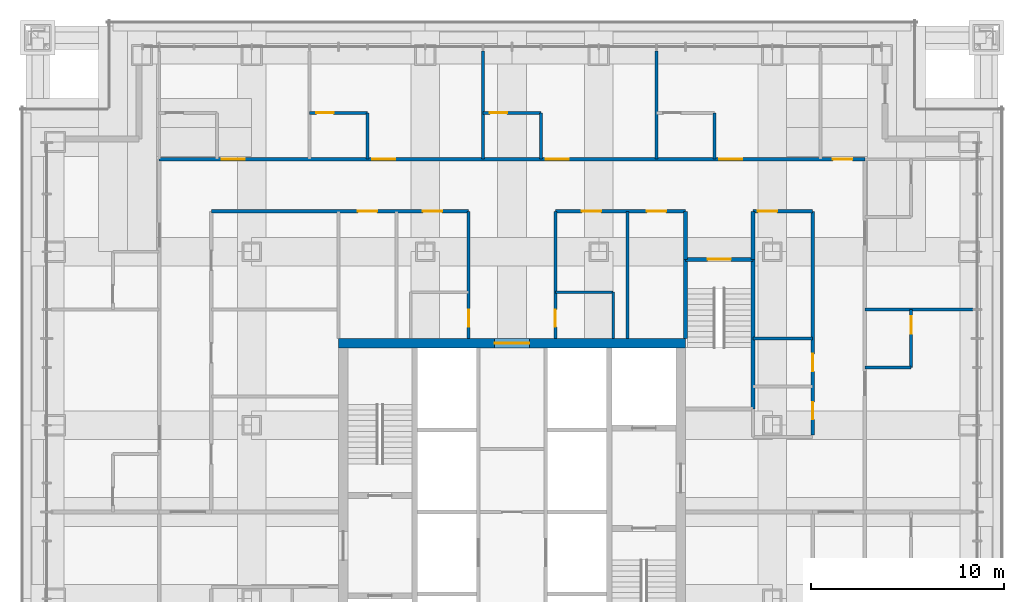
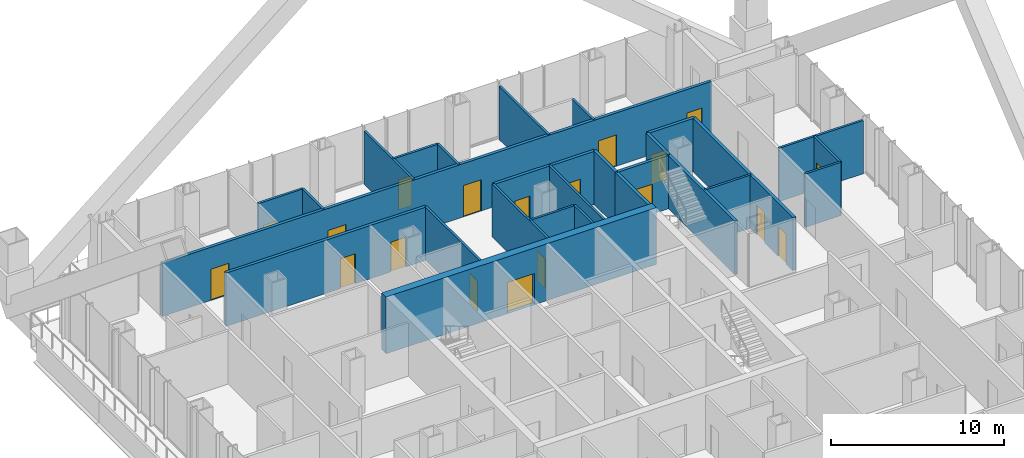
# One storey, part 18 of 20: 27 walls, 19 doors, 19 openings.
"""IFC4 building model written with IfcOpenShell, lengths in metres."""

import ifcopenshell
import ifcopenshell.guid

model = None  # the IFC model being written
_history = None  # IfcOwnerHistory: only IFC2X3 demands one
_inside = {}  # id of a spatial element -> (the spatial element, [elements in it])
_under = {}  # id of a project, library or spatial element -> (it, [spatial elements below it])
_declared = {}  # id of a project -> (the project, [libraries it declares])
_typed = {}  # id of a type object -> (the type object, [elements of that type])
_made_of = {}  # id of a material, layer set ... -> (it, [elements and type objects made of it])


def new_model(schema):
    """Start an empty IFC model of exactly this schema.

    Asked for "IFC4X3", IfcOpenShell would pick the latest addendum, in which some entities
    have other attributes; the version numbers below select the first issue.
    IFC2X3 requires an IfcOwnerHistory on every rooted entity: one is made here for all.
    """
    global model, _history
    if schema == "IFC4X3":
        model = ifcopenshell.file(schema_version=(4, 3, 0, 0))
    else:
        model = ifcopenshell.file(schema=schema)
    _inside.clear()
    _under.clear()
    _declared.clear()
    _typed.clear()
    _made_of.clear()
    _history = None
    if model.schema == "IFC2X3":
        org = make("IfcOrganization", Name="unknown")
        user = make(
            "IfcPersonAndOrganization",
            ThePerson=make("IfcPerson", FamilyName="unknown"),
            TheOrganization=org,
        )
        app = make(
            "IfcApplication",
            ApplicationDeveloper=org,
            Version="unknown",
            ApplicationFullName="unknown",
            ApplicationIdentifier="unknown",
        )
        _history = make(
            "IfcOwnerHistory",
            OwningUser=user,
            OwningApplication=app,
            ChangeAction="ADDED",
            CreationDate=0,
        )
    return model


def make(cls, **values):
    """One entity of the class cls with the attributes given. An attribute that is None is left unset."""
    return model.create_entity(
        cls, **{name: value for name, value in values.items() if value is not None}
    )


def rooted(cls, **values):
    """An entity with a GlobalId (a new one), such as an element, a storey or a relation."""
    return make(cls, GlobalId=ifcopenshell.guid.new(), OwnerHistory=_history, **values)


def si_unit(unit_type, name, prefix=None):
    """IfcSIUnit, for example si_unit("LENGTHUNIT", "METRE", prefix="MILLI")."""
    return make("IfcSIUnit", UnitType=unit_type, Prefix=prefix, Name=name)


def assignment(units):
    """IfcUnitAssignment: the units of a project."""
    return None if units is None else make("IfcUnitAssignment", Units=units)


def point(xyz):
    """IfcCartesianPoint."""
    return None if xyz is None else make("IfcCartesianPoint", Coordinates=xyz)


def direction(xyz):
    """IfcDirection."""
    return None if xyz is None else make("IfcDirection", DirectionRatios=xyz)


def frame(location, z_axis=None, x_axis=None):
    """IfcAxis2Placement3D, a coordinate frame: its origin and axes. An axis left out is left unset."""
    return make(
        "IfcAxis2Placement3D",
        Location=point(location),
        Axis=direction(z_axis),
        RefDirection=direction(x_axis),
    )


def frame_2d(location, x_axis=None):
    """IfcAxis2Placement2D, a coordinate frame in the plane: its origin and x axis."""
    return make(
        "IfcAxis2Placement2D", Location=point(location), RefDirection=direction(x_axis)
    )


def origin():
    """The frame at (0, 0, 0) with its axes left unset."""
    return frame((0.0, 0.0, 0.0))


def place(relative_to, where):
    """IfcLocalPlacement: puts the frame where relative to a parent placement (None: the world)."""
    return make(
        "IfcLocalPlacement", PlacementRelTo=relative_to, RelativePlacement=where
    )


def context(
    kind, dimensions, precision=None, world=None, true_north=None, identifier=None
):
    """IfcGeometricRepresentationContext, for example the 3D "Model" context."""
    return make(
        "IfcGeometricRepresentationContext",
        ContextIdentifier=identifier,
        ContextType=kind,
        CoordinateSpaceDimension=dimensions,
        Precision=precision,
        WorldCoordinateSystem=world,
        TrueNorth=true_north,
    )


def subcontext(parent, identifier, kind, view, scale=None):
    """IfcGeometricRepresentationSubContext, for example "Body" below "Model"."""
    return make(
        "IfcGeometricRepresentationSubContext",
        ContextIdentifier=identifier,
        ContextType=kind,
        ParentContext=parent,
        TargetScale=scale,
        TargetView=view,
    )


def project(units=None, contexts=None):
    """IfcProject with its units and contexts."""
    return rooted(
        "IfcProject",
        Name="project",
        RepresentationContexts=contexts,
        UnitsInContext=assignment(units),
    )


def spatial(cls, under=None, at=None, **own):
    """A site, building, storey or space (cls), placed at a placement, below another one or the project."""
    s = rooted(cls, ObjectPlacement=at, **own)
    if under is not None:
        _under.setdefault(under.id(), (under, []))[1].append(s)
    return s


def profile(cls, at=None, kind="AREA", **sizes):
    """A parametric profile (cls). Its sizes go by their IFC names, for example OverallWidth=200.0."""
    return make(cls, ProfileType=kind, Position=at, **sizes)


def rectangle(**sizes):
    """IfcRectangleProfileDef."""
    return profile("IfcRectangleProfileDef", **sizes)


def extrude(swept, where, along, depth):
    """IfcExtrudedAreaSolid: the profile swept, set in the frame where, extruded along a direction by depth."""
    return make(
        "IfcExtrudedAreaSolid",
        SweptArea=swept,
        Position=where,
        ExtrudedDirection=direction(along),
        Depth=depth,
    )


def shape(context_of_items, identifier, shape_type, items):
    """IfcShapeRepresentation: the items that make up one representation, for example the "Body"."""
    return make(
        "IfcShapeRepresentation",
        ContextOfItems=context_of_items,
        RepresentationIdentifier=identifier,
        RepresentationType=shape_type,
        Items=items,
    )


def material(Name=None, Category=None):
    """IfcMaterial."""
    return make("IfcMaterial", Name=Name, Category=Category)


def layer(
    of_material, thickness, ventilated=None, Name=None, Category=None, Priority=None
):
    """IfcMaterialLayer: one layer of a wall or slab, of a material (None: an air gap)."""
    return make(
        "IfcMaterialLayer",
        Material=of_material,
        LayerThickness=thickness,
        IsVentilated=ventilated,
        Name=Name,
        Category=Category,
        Priority=Priority,
    )


def layer_set(layers, Name=None):
    """IfcMaterialLayerSet."""
    return make("IfcMaterialLayerSet", MaterialLayers=layers, LayerSetName=Name)


def made_of(thing, what):
    """Note that an element or type object is made of a material, layer set ...; save() writes the relation."""
    if what is not None:
        _made_of.setdefault(what.id(), (what, []))[1].append(thing)
    return thing


def type_object(cls, material=None, **own):
    """A type object (cls), such as IfcWallType, which elements share."""
    return made_of(rooted(cls, **own), material)


def element(
    cls,
    number,
    at=None,
    inside=None,
    cuts=None,
    type_object=None,
    material=None,
    context=None,
    identifier="Body",
    shape_type=None,
    held_by="IfcProductDefinitionShape",
    body=None,
    shapes=None,
    **own,
):
    """One element of the class cls, such as IfcWall. Its Tag is "e" and its number.

    at: its placement. inside: the storey or other place that contains it. cuts: it is an
    opening in that element (IfcRelVoidsElement). A single representation is given by context,
    identifier, shape_type and body (its items); several are given by shapes. held_by: the class
    of the entity that holds the representations. save() writes the other relations.
    """
    e = rooted(cls, Tag="e%d" % number, ObjectPlacement=at, **own)
    if body is not None:
        shapes = [shape(context, identifier, shape_type, body)]
    if shapes is not None:
        e.Representation = make(held_by, Representations=shapes)
    if inside is not None:
        _inside.setdefault(inside.id(), (inside, []))[1].append(e)
    if cuts is not None:
        rooted(
            "IfcRelVoidsElement", RelatingBuildingElement=cuts, RelatedOpeningElement=e
        )
    if type_object is not None:
        _typed.setdefault(type_object.id(), (type_object, []))[1].append(e)
    return made_of(e, material)


def fill(opening, filler):
    """IfcRelFillsElement: the door or window that sits in an opening."""
    return rooted(
        "IfcRelFillsElement",
        RelatingOpeningElement=opening,
        RelatedBuildingElement=filler,
    )


def aggregate(whole, parts):
    """IfcRelAggregates: a whole, such as a stair, and the parts it consists of."""
    return rooted("IfcRelAggregates", RelatingObject=whole, RelatedObjects=parts)


def save(model, path):
    """Write the relations noted so far, then the file.

    IfcRelAggregates (storeys below a building ...), IfcRelContainedInSpatialStructure (elements
    in a storey), IfcRelDefinesByType, IfcRelAssociatesMaterial and IfcRelDeclares: one each for
    every whole, place, type object, material and project.
    """
    for whole, parts in _under.values():
        aggregate(whole, parts)
    for where, things in _inside.values():
        rooted(
            "IfcRelContainedInSpatialStructure",
            RelatedElements=things,
            RelatingStructure=where,
        )
    for kind, things in _typed.values():
        rooted("IfcRelDefinesByType", RelatedObjects=things, RelatingType=kind)
    for what, things in _made_of.values():
        rooted("IfcRelAssociatesMaterial", RelatedObjects=things, RelatingMaterial=what)
    for by, libraries in _declared.values():
        rooted("IfcRelDeclares", RelatingContext=by, RelatedDefinitions=libraries)
    model.write(path)


model = new_model("IFC4")

# Units and contexts
model_context = context("Model", 3, precision=1e-05, world=origin(), true_north=direction((0.0, 1.0)))
body_context = subcontext(model_context, "Body", "Model", "MODEL_VIEW")
ifc_project = project(units=[si_unit("LENGTHUNIT", "METRE"), si_unit("AREAUNIT", "SQUARE_METRE"), si_unit("VOLUMEUNIT", "CUBIC_METRE"), si_unit("PLANEANGLEUNIT", "RADIAN"), si_unit("MASSUNIT", "GRAM", prefix="KILO")], contexts=[model_context])

# Site, building, storey
site_placement = place(None, origin())
site = spatial("IfcSite", under=ifc_project, at=site_placement, CompositionType="ELEMENT")
building_placement = place(site_placement, origin())
building = spatial("IfcBuilding", under=site, at=building_placement, Name="Malebo Sky Hospital", CompositionType="ELEMENT")
storey_placement = place(building_placement, frame((0.0, 0.0, 100.0)))
storey = spatial("IfcBuildingStorey", under=building, at=storey_placement, Name="L23", CompositionType="ELEMENT", Elevation=100.0)

# Wall, opening, door
ifc_material_1 = material(Name="Concrete C80/95", Category="concrete")
ifc_layer_1 = layer(ifc_material_1, 0.5)
ifc_layer_set_1 = layer_set([ifc_layer_1], Name="CORE WALL 500")
wall_type_1 = type_object("IfcWallType", Name="CORE WALL 500", PredefinedType="SHEAR", material=ifc_layer_set_1)
wall_1_placement = place(storey_placement, frame((51.0, 70.75, 0.0), z_axis=(0.0, 0.0, 1.0), x_axis=(1.0, 0.0, 0.0)))
wall_1 = element("IfcWall", 1, at=wall_1_placement, inside=storey, type_object=wall_type_1, Name="Core wall N L23", PredefinedType="SHEAR", context=body_context, shape_type="SweptSolid", body=[
    extrude(rectangle(XDim=18.0, YDim=0.5, at=frame_2d((9.0, 0.0))), origin(), (0.0, 0.0, 1.0), 4.0),
])
opening_1_placement = place(wall_1_placement, frame((8.10009765625, 0.0, 0.0)))
opening_1 = element("IfcOpeningElement", 2, at=opening_1_placement, cuts=wall_1, Name="Opening D06", PredefinedType="OPENING", context=body_context, shape_type="SweptSolid", body=[
    extrude(rectangle(XDim=1.800048828125, YDim=2.199951171875, at=frame_2d((0.89990234375, 1.10009765625))), frame((0.0, 0.260009765625, 0.0), z_axis=(0.0, -1.0, 0.0), x_axis=(1.0, 0.0, 0.0)), (0.0, 0.0, 1.0), 0.52001953125),
])
ifc_material_2 = material(Name="Hardwood-faced door leaf in steel frame", Category="steel")
door_type_1 = type_object("IfcDoorType", Name="LOBBY DOOR PAIR 1800", OperationType="DOUBLE_DOOR_SINGLE_SWING", PredefinedType="DOOR", material=ifc_material_2)
door_1_placement = place(opening_1_placement, origin())
door_1 = element("IfcDoor", 3, at=door_1_placement, inside=storey, type_object=door_type_1, Name="staff rest room door north", OperationType="DOUBLE_DOOR_SINGLE_SWING", OverallHeight=2.199951171875, OverallWidth=1.800048828125, PredefinedType="DOOR", context=body_context, shape_type="SweptSolid", body=[
    extrude(rectangle(XDim=1.800048828125, YDim=2.199951171875, at=frame_2d((0.89990234375, 1.10009765625))), frame((0.0, 0.02490234375, 0.0), z_axis=(0.0, -1.0, 0.0), x_axis=(1.0, 0.0, 0.0)), (0.0, 0.0, 1.0), 0.050048828125),
])
fill(opening_1, door_1)

# Wall, openings, doors
ifc_material_3 = material(Name="Gypsum board on steel studs", Category="steel")
ifc_layer_2 = layer(ifc_material_3, 0.199951171875)
ifc_layer_set_2 = layer_set([ifc_layer_2], Name="CORRIDOR WALL 200")
wall_type_2 = type_object("IfcWallType", Name="CORRIDOR WALL 200", PredefinedType="PARTITIONING", material=ifc_layer_set_2)
wall_2_placement = place(storey_placement, frame((41.699951171875, 80.300048828125, 0.0), z_axis=(0.0, 0.0, 1.0), x_axis=(1.0, 0.0, 0.0)))
wall_2 = element("IfcWall", 4, at=wall_2_placement, inside=storey, type_object=wall_type_2, Name="Corridor Wall 200 NCO", PredefinedType="PARTITIONING", context=body_context, shape_type="SweptSolid", body=[
    extrude(rectangle(XDim=36.60009765625, YDim=0.199951171875, at=frame_2d((18.300048828125, 0.0))), origin(), (0.0, 0.0, 1.0), 3.75),
])
opening_2_placement = place(wall_2_placement, frame((3.25, 0.0, 0.0)))
opening_2 = element("IfcOpeningElement", 5, at=opening_2_placement, cuts=wall_2, Name="Opening D01", PredefinedType="OPENING", context=body_context, shape_type="SweptSolid", body=[
    extrude(rectangle(XDim=1.199951171875, YDim=2.199951171875, at=frame_2d((0.60009765625, 1.10009765625))), frame((0.0, 0.10986328125, 0.0), z_axis=(0.0, -1.0, 0.0), x_axis=(1.0, 0.0, 0.0)), (0.0, 0.0, 1.0), 0.219970703125),
])
opening_3_placement = place(wall_2_placement, frame((11.050048828125, 0.0, 0.0)))
opening_3 = element("IfcOpeningElement", 6, at=opening_3_placement, cuts=wall_2, Name="Opening D01", PredefinedType="OPENING", context=body_context, shape_type="SweptSolid", body=[
    extrude(rectangle(XDim=1.199951171875, YDim=2.199951171875, at=frame_2d((0.60009765625, 1.10009765625))), frame((0.0, 0.10986328125, 0.0), z_axis=(0.0, -1.0, 0.0), x_axis=(1.0, 0.0, 0.0)), (0.0, 0.0, 1.0), 0.219970703125),
])
opening_4_placement = place(wall_2_placement, frame((20.050048828125, 0.0, 0.0)))
opening_4 = element("IfcOpeningElement", 7, at=opening_4_placement, cuts=wall_2, Name="Opening D01", PredefinedType="OPENING", context=body_context, shape_type="SweptSolid", body=[
    extrude(rectangle(XDim=1.199951171875, YDim=2.199951171875, at=frame_2d((0.60009765625, 1.10009765625))), frame((0.0, 0.10986328125, 0.0), z_axis=(0.0, -1.0, 0.0), x_axis=(1.0, 0.0, 0.0)), (0.0, 0.0, 1.0), 0.219970703125),
])
opening_5_placement = place(wall_2_placement, frame((29.050048828125, 0.0, 0.0)))
opening_5 = element("IfcOpeningElement", 8, at=opening_5_placement, cuts=wall_2, Name="Opening D01", PredefinedType="OPENING", context=body_context, shape_type="SweptSolid", body=[
    extrude(rectangle(XDim=1.199951171875, YDim=2.199951171875, at=frame_2d((0.60009765625, 1.10009765625))), frame((0.0, 0.10986328125, 0.0), z_axis=(0.0, -1.0, 0.0), x_axis=(1.0, 0.0, 0.0)), (0.0, 0.0, 1.0), 0.219970703125),
])
opening_6_placement = place(wall_2_placement, frame((34.949951171875, 0.0, 0.0)))
opening_6 = element("IfcOpeningElement", 9, at=opening_6_placement, cuts=wall_2, Name="Opening D17", PredefinedType="OPENING", context=body_context, shape_type="SweptSolid", body=[
    extrude(rectangle(XDim=1.0, YDim=2.10009765625, at=frame_2d((0.5, 1.050048828125))), frame((0.0, 0.10986328125, 0.0), z_axis=(0.0, -1.0, 0.0), x_axis=(1.0, 0.0, 0.0)), (0.0, 0.0, 1.0), 0.219970703125),
])
door_type_2 = type_object("IfcDoorType", Name="BED DOOR 1200", OperationType="SINGLE_SWING_LEFT", PredefinedType="DOOR", material=ifc_material_2)
door_2_placement = place(opening_2_placement, origin())
door_2 = element("IfcDoor", 10, at=door_2_placement, inside=storey, type_object=door_type_2, Name="Coronary care room door", OperationType="SINGLE_SWING_LEFT", OverallHeight=2.199951171875, OverallWidth=1.199951171875, PredefinedType="DOOR", context=body_context, shape_type="SweptSolid", body=[
    extrude(rectangle(XDim=1.199951171875, YDim=2.199951171875, at=frame_2d((0.60009765625, 1.10009765625))), frame((0.0, 0.02490234375, 0.0), z_axis=(0.0, -1.0, 0.0), x_axis=(1.0, 0.0, 0.0)), (0.0, 0.0, 1.0), 0.050048828125),
])
fill(opening_2, door_2)
door_3_placement = place(opening_3_placement, origin())
door_3 = element("IfcDoor", 11, at=door_3_placement, inside=storey, type_object=door_type_2, Name="Observation bay door", OperationType="SINGLE_SWING_LEFT", OverallHeight=2.199951171875, OverallWidth=1.199951171875, PredefinedType="DOOR", context=body_context, shape_type="SweptSolid", body=[
    extrude(rectangle(XDim=1.199951171875, YDim=2.199951171875, at=frame_2d((0.60009765625, 1.10009765625))), frame((0.0, 0.02490234375, 0.0), z_axis=(0.0, -1.0, 0.0), x_axis=(1.0, 0.0, 0.0)), (0.0, 0.0, 1.0), 0.050048828125),
])
fill(opening_3, door_3)
door_4_placement = place(opening_4_placement, origin())
door_4 = element("IfcDoor", 12, at=door_4_placement, inside=storey, type_object=door_type_2, Name="Coronary care room door", OperationType="SINGLE_SWING_LEFT", OverallHeight=2.199951171875, OverallWidth=1.199951171875, PredefinedType="DOOR", context=body_context, shape_type="SweptSolid", body=[
    extrude(rectangle(XDim=1.199951171875, YDim=2.199951171875, at=frame_2d((0.60009765625, 1.10009765625))), frame((0.0, 0.02490234375, 0.0), z_axis=(0.0, -1.0, 0.0), x_axis=(1.0, 0.0, 0.0)), (0.0, 0.0, 1.0), 0.050048828125),
])
fill(opening_4, door_4)
door_5_placement = place(opening_5_placement, origin())
door_5 = element("IfcDoor", 13, at=door_5_placement, inside=storey, type_object=door_type_2, Name="Two-bed room door", OperationType="SINGLE_SWING_LEFT", OverallHeight=2.199951171875, OverallWidth=1.199951171875, PredefinedType="DOOR", context=body_context, shape_type="SweptSolid", body=[
    extrude(rectangle(XDim=1.199951171875, YDim=2.199951171875, at=frame_2d((0.60009765625, 1.10009765625))), frame((0.0, 0.02490234375, 0.0), z_axis=(0.0, -1.0, 0.0), x_axis=(1.0, 0.0, 0.0)), (0.0, 0.0, 1.0), 0.050048828125),
])
fill(opening_5, door_5)
door_type_3 = type_object("IfcDoorType", Name="FIRE DOOR 1000", OperationType="SINGLE_SWING_LEFT", PredefinedType="DOOR", material=ifc_material_2)
door_6_placement = place(opening_6_placement, origin())
door_6 = element("IfcDoor", 14, at=door_6_placement, inside=storey, type_object=door_type_3, Name="Facade maintenance store door", OperationType="SINGLE_SWING_RIGHT", OverallHeight=2.10009765625, OverallWidth=1.0, PredefinedType="DOOR", context=body_context, shape_type="SweptSolid", body=[
    extrude(rectangle(XDim=1.0, YDim=2.10009765625, at=frame_2d((0.5, 1.050048828125))), frame((0.0, 0.02490234375, 0.0), z_axis=(0.0, -1.0, 0.0), x_axis=(1.0, 0.0, 0.0)), (0.0, 0.0, 1.0), 0.050048828125),
])
fill(opening_6, door_6)

wall_3_placement = place(storey_placement, frame((44.39990234375, 77.60009765625, 0.0), z_axis=(0.0, 0.0, 1.0), x_axis=(1.0, 0.0, 0.0)))
wall_3 = element("IfcWall", 15, at=wall_3_placement, inside=storey, type_object=wall_type_2, Name="Corridor Wall 200 NCI1", PredefinedType="PARTITIONING", context=body_context, shape_type="SweptSolid", body=[
    extrude(rectangle(XDim=13.35009765625, YDim=0.199951171875, at=frame_2d((6.675048828125, 0.0))), origin(), (0.0, 0.0, 1.0), 3.75),
])
opening_7_placement = place(wall_3_placement, frame((7.60009765625, 0.0, 0.0)))
opening_7 = element("IfcOpeningElement", 16, at=opening_7_placement, cuts=wall_3, Name="Opening D03", PredefinedType="OPENING", context=body_context, shape_type="SweptSolid", body=[
    extrude(rectangle(XDim=1.0, YDim=2.10009765625, at=frame_2d((0.5, 1.050048828125))), frame((0.0, 0.10986328125, 0.0), z_axis=(0.0, -1.0, 0.0), x_axis=(1.0, 0.0, 0.0)), (0.0, 0.0, 1.0), 0.219970703125),
])
opening_8_placement = place(wall_3_placement, frame((10.97509765625, 0.0, 0.0)))
opening_8 = element("IfcOpeningElement", 17, at=opening_8_placement, cuts=wall_3, Name="Opening D03", PredefinedType="OPENING", context=body_context, shape_type="SweptSolid", body=[
    extrude(rectangle(XDim=1.0, YDim=2.10009765625, at=frame_2d((0.5, 1.050048828125))), frame((0.0, 0.10986328125, 0.0), z_axis=(0.0, -1.0, 0.0), x_axis=(1.0, 0.0, 0.0)), (0.0, 0.0, 1.0), 0.219970703125),
])
door_type_4 = type_object("IfcDoorType", Name="ROOM DOOR 1000", OperationType="SINGLE_SWING_LEFT", PredefinedType="DOOR", material=ifc_material_2)
door_7_placement = place(opening_7_placement, origin())
door_7 = element("IfcDoor", 18, at=door_7_placement, inside=storey, type_object=door_type_4, Name="Echo room door", OperationType="SINGLE_SWING_LEFT", OverallHeight=2.10009765625, OverallWidth=1.0, PredefinedType="DOOR", context=body_context, shape_type="SweptSolid", body=[
    extrude(rectangle(XDim=1.0, YDim=2.10009765625, at=frame_2d((0.5, 1.050048828125))), frame((0.0, 0.02490234375, 0.0), z_axis=(0.0, -1.0, 0.0), x_axis=(1.0, 0.0, 0.0)), (0.0, 0.0, 1.0), 0.050048828125),
])
fill(opening_7, door_7)
door_8_placement = place(opening_8_placement, origin())
door_8 = element("IfcDoor", 19, at=door_8_placement, inside=storey, type_object=door_type_4, Name="Cardiac physiology room door", OperationType="SINGLE_SWING_LEFT", OverallHeight=2.10009765625, OverallWidth=1.0, PredefinedType="DOOR", context=body_context, shape_type="SweptSolid", body=[
    extrude(rectangle(XDim=1.0, YDim=2.10009765625, at=frame_2d((0.5, 1.050048828125))), frame((0.0, 0.02490234375, 0.0), z_axis=(0.0, -1.0, 0.0), x_axis=(1.0, 0.0, 0.0)), (0.0, 0.0, 1.0), 0.050048828125),
])
fill(opening_8, door_8)

wall_4_placement = place(storey_placement, frame((62.25, 77.60009765625, 0.0), z_axis=(0.0, 0.0, 1.0), x_axis=(1.0, 0.0, 0.0)))
wall_4 = element("IfcWall", 20, at=wall_4_placement, inside=storey, type_object=wall_type_2, Name="Corridor Wall 200 NCI2", PredefinedType="PARTITIONING", context=body_context, shape_type="SweptSolid", body=[
    extrude(rectangle(XDim=6.75, YDim=0.199951171875, at=frame_2d((3.375, 0.0))), origin(), (0.0, 0.0, 1.0), 3.75),
])
opening_9_placement = place(wall_4_placement, frame((1.375, 0.0, 0.0)))
opening_9 = element("IfcOpeningElement", 21, at=opening_9_placement, cuts=wall_4, Name="Opening D03", PredefinedType="OPENING", context=body_context, shape_type="SweptSolid", body=[
    extrude(rectangle(XDim=1.0, YDim=2.10009765625, at=frame_2d((0.5, 1.050048828125))), frame((0.0, 0.10986328125, 0.0), z_axis=(0.0, -1.0, 0.0), x_axis=(1.0, 0.0, 0.0)), (0.0, 0.0, 1.0), 0.219970703125),
])
opening_10_placement = place(wall_4_placement, frame((4.75, 0.0, 0.0)))
opening_10 = element("IfcOpeningElement", 22, at=opening_10_placement, cuts=wall_4, Name="Opening D03", PredefinedType="OPENING", context=body_context, shape_type="SweptSolid", body=[
    extrude(rectangle(XDim=1.0, YDim=2.10009765625, at=frame_2d((0.5, 1.050048828125))), frame((0.0, 0.10986328125, 0.0), z_axis=(0.0, -1.0, 0.0), x_axis=(1.0, 0.0, 0.0)), (0.0, 0.0, 1.0), 0.219970703125),
])
door_9_placement = place(opening_9_placement, origin())
door_9 = element("IfcDoor", 23, at=door_9_placement, inside=storey, type_object=door_type_4, Name="Clean utility room door", OperationType="SINGLE_SWING_LEFT", OverallHeight=2.10009765625, OverallWidth=1.0, PredefinedType="DOOR", context=body_context, shape_type="SweptSolid", body=[
    extrude(rectangle(XDim=1.0, YDim=2.10009765625, at=frame_2d((0.5, 1.050048828125))), frame((0.0, 0.02490234375, 0.0), z_axis=(0.0, -1.0, 0.0), x_axis=(1.0, 0.0, 0.0)), (0.0, 0.0, 1.0), 0.050048828125),
])
fill(opening_9, door_9)
door_10_placement = place(opening_10_placement, origin())
door_10 = element("IfcDoor", 24, at=door_10_placement, inside=storey, type_object=door_type_4, Name="Seminar room door", OperationType="SINGLE_SWING_RIGHT", OverallHeight=2.10009765625, OverallWidth=1.0, PredefinedType="DOOR", context=body_context, shape_type="SweptSolid", body=[
    extrude(rectangle(XDim=1.0, YDim=2.10009765625, at=frame_2d((0.5, 1.050048828125))), frame((0.0, 0.02490234375, 0.0), z_axis=(0.0, -1.0, 0.0), x_axis=(1.0, 0.0, 0.0)), (0.0, 0.0, 1.0), 0.050048828125),
])
fill(opening_10, door_10)

# Wall, opening, door
wall_5_placement = place(storey_placement, frame((72.5, 77.60009765625, 0.0), z_axis=(0.0, 0.0, 1.0), x_axis=(1.0, 0.0, 0.0)))
wall_5 = element("IfcWall", 25, at=wall_5_placement, inside=storey, type_object=wall_type_2, Name="Corridor Wall 200 NCI2/2", PredefinedType="PARTITIONING", context=body_context, shape_type="SweptSolid", body=[
    extrude(rectangle(XDim=3.10009765625, YDim=0.199951171875, at=frame_2d((1.550048828125, 0.0))), origin(), (0.0, 0.0, 1.0), 3.75),
])
opening_11_placement = place(wall_5_placement, frame((0.25, 0.0, 0.0)))
opening_11 = element("IfcOpeningElement", 26, at=opening_11_placement, cuts=wall_5, Name="Opening D03", PredefinedType="OPENING", context=body_context, shape_type="SweptSolid", body=[
    extrude(rectangle(XDim=1.0, YDim=2.10009765625, at=frame_2d((0.5, 1.050048828125))), frame((0.0, 0.10986328125, 0.0), z_axis=(0.0, -1.0, 0.0), x_axis=(1.0, 0.0, 0.0)), (0.0, 0.0, 1.0), 0.219970703125),
])
door_11_placement = place(opening_11_placement, origin())
door_11 = element("IfcDoor", 27, at=door_11_placement, inside=storey, type_object=door_type_4, Name="Nurse station door", OperationType="SINGLE_SWING_LEFT", OverallHeight=2.10009765625, OverallWidth=1.0, PredefinedType="DOOR", context=body_context, shape_type="SweptSolid", body=[
    extrude(rectangle(XDim=1.0, YDim=2.10009765625, at=frame_2d((0.5, 1.050048828125))), frame((0.0, 0.02490234375, 0.0), z_axis=(0.0, -1.0, 0.0), x_axis=(1.0, 0.0, 0.0)), (0.0, 0.0, 1.0), 0.050048828125),
])
fill(opening_11, door_11)

# Wall, openings, doors
wall_6_placement = place(storey_placement, frame((75.60009765625, 77.60009765625, 0.0), z_axis=(0.0, 0.0, 1.0), x_axis=(0.0, -1.0, 0.0)))
wall_6 = element("IfcWall", 28, at=wall_6_placement, inside=storey, type_object=wall_type_2, Name="Corridor Wall 200 ECI1", PredefinedType="PARTITIONING", context=body_context, shape_type="SweptSolid", body=[
    extrude(rectangle(XDim=11.60009765625, YDim=0.199951171875, at=frame_2d((5.800048828125, 0.0))), origin(), (0.0, 0.0, 1.0), 3.75),
])
opening_12_placement = place(wall_6_placement, frame((7.39990234375, 0.0, 0.0)))
opening_12 = element("IfcOpeningElement", 29, at=opening_12_placement, cuts=wall_6, Name="Opening D04", PredefinedType="OPENING", context=body_context, shape_type="SweptSolid", body=[
    extrude(rectangle(XDim=0.89990234375, YDim=2.10009765625, at=frame_2d((0.449951171875, 1.050048828125))), frame((0.0, 0.10986328125, 0.0), z_axis=(0.0, -1.0, 0.0), x_axis=(1.0, 0.0, 0.0)), (0.0, 0.0, 1.0), 0.219970703125),
])
opening_13_placement = place(wall_6_placement, frame((9.89990234375, 0.0, 0.0)))
opening_13 = element("IfcOpeningElement", 30, at=opening_13_placement, cuts=wall_6, Name="Opening D04", PredefinedType="OPENING", context=body_context, shape_type="SweptSolid", body=[
    extrude(rectangle(XDim=0.89990234375, YDim=2.10009765625, at=frame_2d((0.449951171875, 1.050048828125))), frame((0.0, 0.10986328125, 0.0), z_axis=(0.0, -1.0, 0.0), x_axis=(1.0, 0.0, 0.0)), (0.0, 0.0, 1.0), 0.219970703125),
])
door_type_5 = type_object("IfcDoorType", Name="ROOM DOOR 900", OperationType="SINGLE_SWING_LEFT", PredefinedType="DOOR", material=ifc_material_2)
door_12_placement = place(opening_12_placement, origin())
door_12 = element("IfcDoor", 31, at=door_12_placement, inside=storey, type_object=door_type_5, Name="Equipment store door", OperationType="SINGLE_SWING_LEFT", OverallHeight=2.10009765625, OverallWidth=0.89990234375, PredefinedType="DOOR", context=body_context, shape_type="SweptSolid", body=[
    extrude(rectangle(XDim=0.89990234375, YDim=2.10009765625, at=frame_2d((0.449951171875, 1.050048828125))), frame((0.0, 0.02490234375, 0.0), z_axis=(0.0, -1.0, 0.0), x_axis=(1.0, 0.0, 0.0)), (0.0, 0.0, 1.0), 0.050048828125),
])
fill(opening_12, door_12)
door_13_placement = place(opening_13_placement, origin())
door_13 = element("IfcDoor", 32, at=door_13_placement, inside=storey, type_object=door_type_5, Name="Medication room door", OperationType="SINGLE_SWING_LEFT", OverallHeight=2.10009765625, OverallWidth=0.89990234375, PredefinedType="DOOR", context=body_context, shape_type="SweptSolid", body=[
    extrude(rectangle(XDim=0.89990234375, YDim=2.10009765625, at=frame_2d((0.449951171875, 1.050048828125))), frame((0.0, 0.02490234375, 0.0), z_axis=(0.0, -1.0, 0.0), x_axis=(1.0, 0.0, 0.0)), (0.0, 0.0, 1.0), 0.050048828125),
])
fill(opening_13, door_13)

# Walls
for number, where, z_axis, x_axis, name in (
    (33, (69.0, 75.10009765625, 0.0), (0.0, 0.0, 1.0), (0.0, 1.0, 0.0), "Corridor Wall 200 ST3AW"),
    (34, (72.5, 75.10009765625, 0.0), (0.0, 0.0, 1.0), (0.0, 1.0, 0.0), "Corridor Wall 200 ST3AE"),
):
    element("IfcWall", number, at=place(storey_placement, frame(where, z_axis=z_axis, x_axis=x_axis)), inside=storey, type_object=wall_type_2, Name=name, PredefinedType="PARTITIONING", context=body_context, shape_type="SweptSolid", body=[
        extrude(rectangle(XDim=2.5, YDim=0.199951171875, at=frame_2d((1.25, 0.0))), origin(), (0.0, 0.0, 1.0), 3.75),
    ])
ifc_layer_3 = layer(ifc_material_3, 0.14990234375)
ifc_layer_set_3 = layer_set([ifc_layer_3], Name="PARTITION 150")
wall_type_3 = type_object("IfcWallType", Name="PARTITION 150", PredefinedType="PARTITIONING", material=ifc_layer_set_3)
for number, where, z_axis, x_axis, name in (
    (35, (58.5, 80.300048828125, 0.0), (0.0, 0.0, 1.0), (0.0, 1.0, 0.0), "Partition 150 NP-1.5"),
    (36, (67.5, 80.300048828125, 0.0), (0.0, 0.0, 1.0), (0.0, 1.0, 0.0), "Partition 150 NP+7.5"),
):
    element("IfcWall", number, at=place(storey_placement, frame(where, z_axis=z_axis, x_axis=x_axis)), inside=storey, type_object=wall_type_3, Name=name, PredefinedType="PARTITIONING", context=body_context, shape_type="SweptSolid", body=[
        extrude(rectangle(XDim=5.60986328125, YDim=0.14990234375, at=frame_2d((2.804931640625, 0.0))), origin(), (0.0, 0.0, 1.0), 3.75),
    ])

# Wall, opening, door
wall_7_placement = place(storey_placement, frame((49.5, 82.699951171875, 0.0), z_axis=(0.0, 0.0, 1.0), x_axis=(1.0, 0.0, 0.0)))
wall_7 = element("IfcWall", 37, at=wall_7_placement, inside=storey, type_object=wall_type_3, Name="Partition 150 NE1F", PredefinedType="PARTITIONING", context=body_context, shape_type="SweptSolid", body=[
    extrude(rectangle(XDim=3.0, YDim=0.14990234375, at=frame_2d((1.5, 0.0))), origin(), (0.0, 0.0, 1.0), 3.75),
])
opening_14_placement = place(wall_7_placement, frame((0.35009765625, 0.0, 0.0)))
opening_14 = element("IfcOpeningElement", 38, at=opening_14_placement, cuts=wall_7, Name="Opening D02", PredefinedType="OPENING", context=body_context, shape_type="SweptSolid", body=[
    extrude(rectangle(XDim=0.89990234375, YDim=2.10009765625, at=frame_2d((0.449951171875, 1.050048828125))), frame((0.0, 0.0849609375, 0.0), z_axis=(0.0, -1.0, 0.0), x_axis=(1.0, 0.0, 0.0)), (0.0, 0.0, 1.0), 0.169921875),
])
door_type_6 = type_object("IfcDoorType", Name="EN-SUITE DOOR 900", OperationType="SINGLE_SWING_LEFT", PredefinedType="DOOR", material=ifc_material_2)
door_14_placement = place(opening_14_placement, origin())
door_14 = element("IfcDoor", 39, at=door_14_placement, inside=storey, type_object=door_type_6, Name="En-suite door", OperationType="SINGLE_SWING_LEFT", OverallHeight=2.10009765625, OverallWidth=0.89990234375, PredefinedType="DOOR", context=body_context, shape_type="SweptSolid", body=[
    extrude(rectangle(XDim=0.89990234375, YDim=2.10009765625, at=frame_2d((0.449951171875, 1.050048828125))), frame((0.0, 0.02490234375, 0.0), z_axis=(0.0, -1.0, 0.0), x_axis=(1.0, 0.0, 0.0)), (0.0, 0.0, 1.0), 0.050048828125),
])
fill(opening_14, door_14)

# Wall
wall_8_placement = place(storey_placement, frame((52.5, 80.300048828125, 0.0), z_axis=(0.0, 0.0, 1.0), x_axis=(0.0, 1.0, 0.0)))
element("IfcWall", 40, at=wall_8_placement, inside=storey, type_object=wall_type_3, Name="Partition 150 NE1S", PredefinedType="PARTITIONING", context=body_context, shape_type="SweptSolid", body=[
    extrude(rectangle(XDim=2.39990234375, YDim=0.14990234375, at=frame_2d((1.199951171875, 0.0))), origin(), (0.0, 0.0, 1.0), 3.75),
])

# Wall, opening, door
wall_9_placement = place(storey_placement, frame((58.5, 82.699951171875, 0.0), z_axis=(0.0, 0.0, 1.0), x_axis=(1.0, 0.0, 0.0)))
wall_9 = element("IfcWall", 41, at=wall_9_placement, inside=storey, type_object=wall_type_3, Name="Partition 150 NE2F", PredefinedType="PARTITIONING", context=body_context, shape_type="SweptSolid", body=[
    extrude(rectangle(XDim=3.0, YDim=0.14990234375, at=frame_2d((1.5, 0.0))), origin(), (0.0, 0.0, 1.0), 3.75),
])
opening_15_placement = place(wall_9_placement, frame((0.35009765625, 0.0, 0.0)))
opening_15 = element("IfcOpeningElement", 42, at=opening_15_placement, cuts=wall_9, Name="Opening D02", PredefinedType="OPENING", context=body_context, shape_type="SweptSolid", body=[
    extrude(rectangle(XDim=0.89990234375, YDim=2.10009765625, at=frame_2d((0.449951171875, 1.050048828125))), frame((0.0, 0.0849609375, 0.0), z_axis=(0.0, -1.0, 0.0), x_axis=(1.0, 0.0, 0.0)), (0.0, 0.0, 1.0), 0.169921875),
])
door_15_placement = place(opening_15_placement, origin())
door_15 = element("IfcDoor", 43, at=door_15_placement, inside=storey, type_object=door_type_6, Name="En-suite door", OperationType="SINGLE_SWING_LEFT", OverallHeight=2.10009765625, OverallWidth=0.89990234375, PredefinedType="DOOR", context=body_context, shape_type="SweptSolid", body=[
    extrude(rectangle(XDim=0.89990234375, YDim=2.10009765625, at=frame_2d((0.449951171875, 1.050048828125))), frame((0.0, 0.02490234375, 0.0), z_axis=(0.0, -1.0, 0.0), x_axis=(1.0, 0.0, 0.0)), (0.0, 0.0, 1.0), 0.050048828125),
])
fill(opening_15, door_15)

# Walls
for number, where, z_axis, x_axis, name in (
    (44, (61.5, 80.300048828125, 0.0), (0.0, 0.0, 1.0), (0.0, 1.0, 0.0), "Partition 150 NE2S"),
    (45, (70.5, 80.300048828125, 0.0), (0.0, 0.0, 1.0), (0.0, 1.0, 0.0), "Partition 150 NE3S"),
):
    element("IfcWall", number, at=place(storey_placement, frame(where, z_axis=z_axis, x_axis=x_axis)), inside=storey, type_object=wall_type_3, Name=name, PredefinedType="PARTITIONING", context=body_context, shape_type="SweptSolid", body=[
        extrude(rectangle(XDim=2.39990234375, YDim=0.14990234375, at=frame_2d((1.199951171875, 0.0))), origin(), (0.0, 0.0, 1.0), 3.75),
    ])

# Wall, opening, door
wall_10_placement = place(storey_placement, frame((57.75, 71.0, 0.0), z_axis=(0.0, 0.0, 1.0), x_axis=(0.0, 1.0, 0.0)))
wall_10 = element("IfcWall", 46, at=wall_10_placement, inside=storey, type_object=wall_type_3, Name="Partition 150 NSPA", PredefinedType="PARTITIONING", context=body_context, shape_type="SweptSolid", body=[
    extrude(rectangle(XDim=6.60009765625, YDim=0.14990234375, at=frame_2d((3.300048828125, 0.0))), origin(), (0.0, 0.0, 1.0), 3.75),
])
opening_16_placement = place(wall_10_placement, frame((0.60009765625, 0.0, 0.0)))
opening_16 = element("IfcOpeningElement", 47, at=opening_16_placement, cuts=wall_10, Name="Opening D04", PredefinedType="OPENING", context=body_context, shape_type="SweptSolid", body=[
    extrude(rectangle(XDim=0.89990234375, YDim=2.10009765625, at=frame_2d((0.449951171875, 1.050048828125))), frame((0.0, 0.0849609375, 0.0), z_axis=(0.0, -1.0, 0.0), x_axis=(1.0, 0.0, 0.0)), (0.0, 0.0, 1.0), 0.169921875),
])
door_16_placement = place(opening_16_placement, origin())
door_16 = element("IfcDoor", 48, at=door_16_placement, inside=storey, type_object=door_type_5, Name="Staff WC door", OperationType="SINGLE_SWING_LEFT", OverallHeight=2.10009765625, OverallWidth=0.89990234375, PredefinedType="DOOR", context=body_context, shape_type="SweptSolid", body=[
    extrude(rectangle(XDim=0.89990234375, YDim=2.10009765625, at=frame_2d((0.449951171875, 1.050048828125))), frame((0.0, 0.02490234375, 0.0), z_axis=(0.0, -1.0, 0.0), x_axis=(1.0, 0.0, 0.0)), (0.0, 0.0, 1.0), 0.050048828125),
])
fill(opening_16, door_16)

wall_11_placement = place(storey_placement, frame((62.25, 71.0, 0.0), z_axis=(0.0, 0.0, 1.0), x_axis=(0.0, 1.0, 0.0)))
wall_11 = element("IfcWall", 49, at=wall_11_placement, inside=storey, type_object=wall_type_3, Name="Partition 150 NSPB", PredefinedType="PARTITIONING", context=body_context, shape_type="SweptSolid", body=[
    extrude(rectangle(XDim=6.60009765625, YDim=0.14990234375, at=frame_2d((3.300048828125, 0.0))), origin(), (0.0, 0.0, 1.0), 3.75),
])
opening_17_placement = place(wall_11_placement, frame((0.60009765625, 0.0, 0.0)))
opening_17 = element("IfcOpeningElement", 50, at=opening_17_placement, cuts=wall_11, Name="Opening D04", PredefinedType="OPENING", context=body_context, shape_type="SweptSolid", body=[
    extrude(rectangle(XDim=0.89990234375, YDim=2.10009765625, at=frame_2d((0.449951171875, 1.050048828125))), frame((0.0, 0.0849609375, 0.0), z_axis=(0.0, -1.0, 0.0), x_axis=(1.0, 0.0, 0.0)), (0.0, 0.0, 1.0), 0.169921875),
])
door_17_placement = place(opening_17_placement, origin())
door_17 = element("IfcDoor", 51, at=door_17_placement, inside=storey, type_object=door_type_5, Name="Accessible WC door", OperationType="SINGLE_SWING_LEFT", OverallHeight=2.10009765625, OverallWidth=0.89990234375, PredefinedType="DOOR", context=body_context, shape_type="SweptSolid", body=[
    extrude(rectangle(XDim=0.89990234375, YDim=2.10009765625, at=frame_2d((0.449951171875, 1.050048828125))), frame((0.0, 0.02490234375, 0.0), z_axis=(0.0, -1.0, 0.0), x_axis=(1.0, 0.0, 0.0)), (0.0, 0.0, 1.0), 0.050048828125),
])
fill(opening_17, door_17)

# Walls
wall_12_placement = place(storey_placement, frame((66.0, 71.0, 0.0), z_axis=(0.0, 0.0, 1.0), x_axis=(0.0, 1.0, 0.0)))
element("IfcWall", 52, at=wall_12_placement, inside=storey, type_object=wall_type_3, Name="Partition 150 NSP+6.0", PredefinedType="PARTITIONING", context=body_context, shape_type="SweptSolid", body=[
    extrude(rectangle(XDim=6.60009765625, YDim=0.14990234375, at=frame_2d((3.300048828125, 0.0))), origin(), (0.0, 0.0, 1.0), 3.75),
])
wall_13_placement = place(storey_placement, frame((62.25, 73.39990234375, 0.0), z_axis=(0.0, 0.0, 1.0), x_axis=(1.0, 0.0, 0.0)))
element("IfcWall", 53, at=wall_13_placement, inside=storey, type_object=wall_type_3, Name="Partition 150 NSX2", PredefinedType="PARTITIONING", context=body_context, shape_type="SweptSolid", body=[
    extrude(rectangle(XDim=3.0, YDim=0.14990234375, at=frame_2d((1.5, 0.0))), origin(), (0.0, 0.0, 1.0), 3.75),
])
wall_14_placement = place(storey_placement, frame((65.25, 71.0, 0.0), z_axis=(0.0, 0.0, 1.0), x_axis=(0.0, 1.0, 0.0)))
element("IfcWall", 54, at=wall_14_placement, inside=storey, type_object=wall_type_3, Name="Partition 150 NSY2", PredefinedType="PARTITIONING", context=body_context, shape_type="SweptSolid", body=[
    extrude(rectangle(XDim=2.39990234375, YDim=0.14990234375, at=frame_2d((1.199951171875, 0.0))), origin(), (0.0, 0.0, 1.0), 3.75),
])
wall_15_placement = place(storey_placement, frame((78.300048828125, 72.5, 0.0), z_axis=(0.0, 0.0, 1.0), x_axis=(1.0, 0.0, 0.0)))
element("IfcWall", 55, at=wall_15_placement, inside=storey, type_object=wall_type_3, Name="Partition 150 EP-10.5", PredefinedType="PARTITIONING", context=body_context, shape_type="SweptSolid", body=[
    extrude(rectangle(XDim=5.60986328125, YDim=0.14990234375, at=frame_2d((2.804931640625, 0.0))), origin(), (0.0, 0.0, 1.0), 3.75),
])

# Wall, opening, door
wall_16_placement = place(storey_placement, frame((80.699951171875, 72.5, 0.0), z_axis=(0.0, 0.0, 1.0), x_axis=(0.0, -1.0, 0.0)))
wall_16 = element("IfcWall", 56, at=wall_16_placement, inside=storey, type_object=wall_type_3, Name="Partition 150 EE1F", PredefinedType="PARTITIONING", context=body_context, shape_type="SweptSolid", body=[
    extrude(rectangle(XDim=3.0, YDim=0.14990234375, at=frame_2d((1.5, 0.0))), origin(), (0.0, 0.0, 1.0), 3.75),
])
opening_18_placement = place(wall_16_placement, frame((0.35009765625, 0.0, 0.0)))
opening_18 = element("IfcOpeningElement", 57, at=opening_18_placement, cuts=wall_16, Name="Opening D02", PredefinedType="OPENING", context=body_context, shape_type="SweptSolid", body=[
    extrude(rectangle(XDim=0.89990234375, YDim=2.10009765625, at=frame_2d((0.449951171875, 1.050048828125))), frame((0.0, 0.0849609375, 0.0), z_axis=(0.0, -1.0, 0.0), x_axis=(1.0, 0.0, 0.0)), (0.0, 0.0, 1.0), 0.169921875),
])
door_18_placement = place(opening_18_placement, origin())
door_18 = element("IfcDoor", 58, at=door_18_placement, inside=storey, type_object=door_type_6, Name="En-suite door", OperationType="SINGLE_SWING_LEFT", OverallHeight=2.10009765625, OverallWidth=0.89990234375, PredefinedType="DOOR", context=body_context, shape_type="SweptSolid", body=[
    extrude(rectangle(XDim=0.89990234375, YDim=2.10009765625, at=frame_2d((0.449951171875, 1.050048828125))), frame((0.0, 0.02490234375, 0.0), z_axis=(0.0, -1.0, 0.0), x_axis=(1.0, 0.0, 0.0)), (0.0, 0.0, 1.0), 0.050048828125),
])
fill(opening_18, door_18)

# Walls
wall_17_placement = place(storey_placement, frame((78.300048828125, 69.5, 0.0), z_axis=(0.0, 0.0, 1.0), x_axis=(1.0, 0.0, 0.0)))
element("IfcWall", 59, at=wall_17_placement, inside=storey, type_object=wall_type_3, Name="Partition 150 EE1S", PredefinedType="PARTITIONING", context=body_context, shape_type="SweptSolid", body=[
    extrude(rectangle(XDim=2.39990234375, YDim=0.14990234375, at=frame_2d((1.199951171875, 0.0))), origin(), (0.0, 0.0, 1.0), 3.75),
])
wall_18_placement = place(storey_placement, frame((72.5, 71.0, 0.0), z_axis=(0.0, 0.0, 1.0), x_axis=(1.0, 0.0, 0.0)))
element("IfcWall", 60, at=wall_18_placement, inside=storey, type_object=wall_type_3, Name="Partition 150 ESP0", PredefinedType="PARTITIONING", context=body_context, shape_type="SweptSolid", body=[
    extrude(rectangle(XDim=3.10009765625, YDim=0.14990234375, at=frame_2d((1.550048828125, 0.0))), origin(), (0.0, 0.0, 1.0), 3.75),
])
ifc_material_4 = material(Name="Concrete C40/50", Category="concrete")
ifc_layer_4 = layer(ifc_material_4, 0.199951171875)
ifc_layer_set_4 = layer_set([ifc_layer_4], Name="STAIR ENCLOSURE WALL 200")
wall_type_4 = type_object("IfcWallType", Name="STAIR ENCLOSURE WALL 200", PredefinedType="SOLIDWALL", material=ifc_layer_set_4)
wall_19_placement = place(storey_placement, frame((69.0, 71.0, 0.0), z_axis=(0.0, 0.0, 1.0), x_axis=(0.0, 1.0, 0.0)))
element("IfcWall", 61, at=wall_19_placement, inside=storey, type_object=wall_type_4, Name="Stair Enclosure Wall 200 ST3W", PredefinedType="SOLIDWALL", context=body_context, shape_type="SweptSolid", body=[
    extrude(rectangle(XDim=4.10009765625, YDim=0.199951171875, at=frame_2d((2.050048828125, 0.0))), origin(), (0.0, 0.0, 1.0), 3.75),
])
wall_20_placement = place(storey_placement, frame((72.5, 67.35009765625, 0.0), z_axis=(0.0, 0.0, 1.0), x_axis=(0.0, 1.0, 0.0)))
element("IfcWall", 62, at=wall_20_placement, inside=storey, type_object=wall_type_4, Name="Stair Enclosure Wall 200 ST3E", PredefinedType="SOLIDWALL", context=body_context, shape_type="SweptSolid", body=[
    extrude(rectangle(XDim=7.75, YDim=0.199951171875, at=frame_2d((3.875, 0.0))), origin(), (0.0, 0.0, 1.0), 3.75),
])

# Wall, opening, door
wall_21_placement = place(storey_placement, frame((69.0, 75.10009765625, 0.0), z_axis=(0.0, 0.0, 1.0), x_axis=(1.0, 0.0, 0.0)))
wall_21 = element("IfcWall", 63, at=wall_21_placement, inside=storey, type_object=wall_type_4, Name="Stair Enclosure Wall 200 ST3N", PredefinedType="SOLIDWALL", context=body_context, shape_type="SweptSolid", body=[
    extrude(rectangle(XDim=3.5, YDim=0.199951171875, at=frame_2d((1.75, 0.0))), origin(), (0.0, 0.0, 1.0), 3.75),
])
opening_19_placement = place(wall_21_placement, frame((1.14990234375, 0.0, 0.0)))
opening_19 = element("IfcOpeningElement", 64, at=opening_19_placement, cuts=wall_21, Name="Opening D08", PredefinedType="OPENING", context=body_context, shape_type="SweptSolid", body=[
    extrude(rectangle(XDim=1.199951171875, YDim=2.10009765625, at=frame_2d((0.60009765625, 1.050048828125))), frame((0.0, 0.10986328125, 0.0), z_axis=(0.0, -1.0, 0.0), x_axis=(1.0, 0.0, 0.0)), (0.0, 0.0, 1.0), 0.219970703125),
])
door_type_7 = type_object("IfcDoorType", Name="STAIR DOOR 1200", OperationType="SINGLE_SWING_LEFT", PredefinedType="DOOR", material=ifc_material_2)
door_19_placement = place(opening_19_placement, origin())
door_19 = element("IfcDoor", 65, at=door_19_placement, inside=storey, type_object=door_type_7, Name="Stair S3 door", OperationType="SINGLE_SWING_LEFT", OverallHeight=2.10009765625, OverallWidth=1.199951171875, PredefinedType="DOOR", context=body_context, shape_type="SweptSolid", body=[
    extrude(rectangle(XDim=1.199951171875, YDim=2.10009765625, at=frame_2d((0.60009765625, 1.050048828125))), frame((0.0, 0.02490234375, 0.0), z_axis=(0.0, -1.0, 0.0), x_axis=(1.0, 0.0, 0.0)), (0.0, 0.0, 1.0), 0.050048828125),
])
fill(opening_19, door_19)

save(model, "model.ifc")
